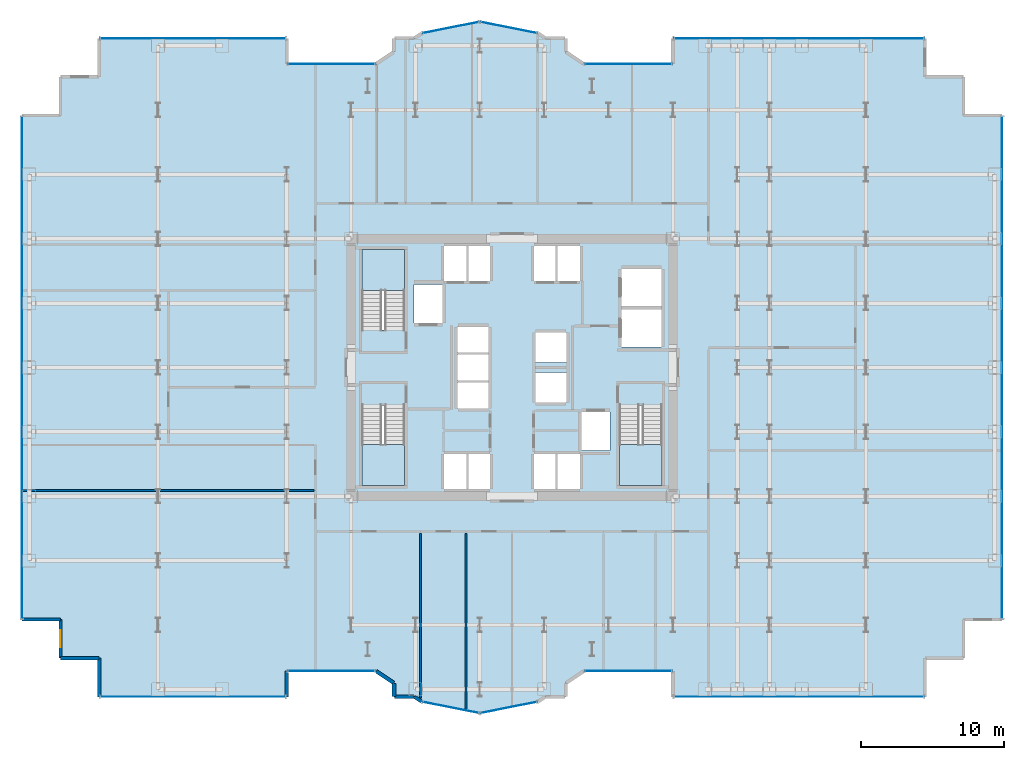
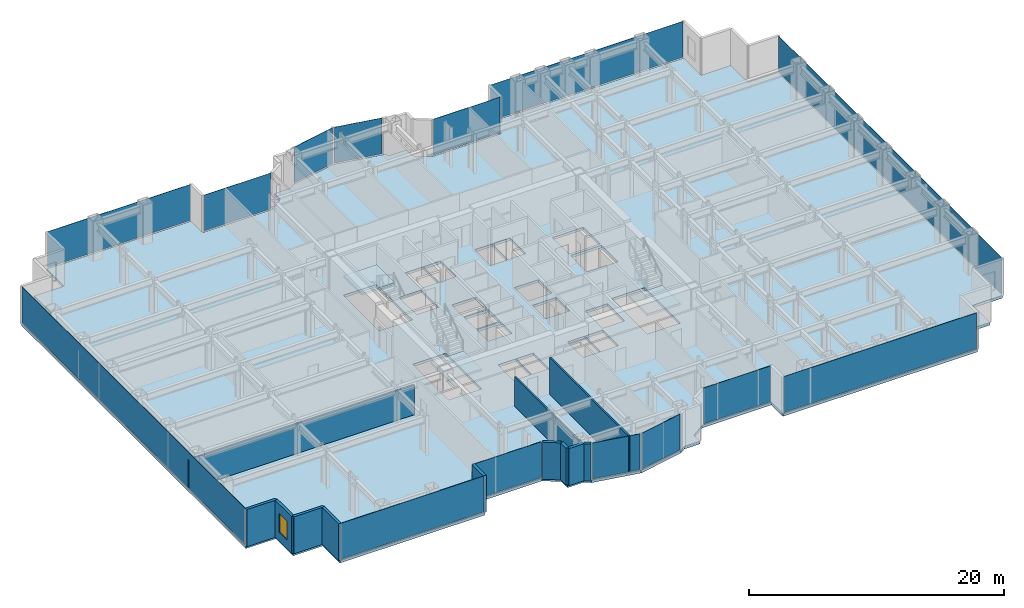
# One storey, part 19 of 25: 14 plates, 12 walls, 4 slabs, 1 window, 1 opening, 17 elements without a shape of their own.
"""IFC4 building model written with IfcOpenShell, lengths in metres."""

import ifcopenshell
import ifcopenshell.guid

model = None  # the IFC model being written
_history = None  # IfcOwnerHistory: only IFC2X3 demands one
_inside = {}  # id of a spatial element -> (the spatial element, [elements in it])
_under = {}  # id of a project, library or spatial element -> (it, [spatial elements below it])
_declared = {}  # id of a project -> (the project, [libraries it declares])
_typed = {}  # id of a type object -> (the type object, [elements of that type])
_made_of = {}  # id of a material, layer set ... -> (it, [elements and type objects made of it])


def new_model(schema):
    """Start an empty IFC model of exactly this schema.

    Asked for "IFC4X3", IfcOpenShell would pick the latest addendum, in which some entities
    have other attributes; the version numbers below select the first issue.
    IFC2X3 requires an IfcOwnerHistory on every rooted entity: one is made here for all.
    """
    global model, _history
    if schema == "IFC4X3":
        model = ifcopenshell.file(schema_version=(4, 3, 0, 0))
    else:
        model = ifcopenshell.file(schema=schema)
    _inside.clear()
    _under.clear()
    _declared.clear()
    _typed.clear()
    _made_of.clear()
    _history = None
    if model.schema == "IFC2X3":
        org = make("IfcOrganization", Name="unknown")
        user = make(
            "IfcPersonAndOrganization",
            ThePerson=make("IfcPerson", FamilyName="unknown"),
            TheOrganization=org,
        )
        app = make(
            "IfcApplication",
            ApplicationDeveloper=org,
            Version="unknown",
            ApplicationFullName="unknown",
            ApplicationIdentifier="unknown",
        )
        _history = make(
            "IfcOwnerHistory",
            OwningUser=user,
            OwningApplication=app,
            ChangeAction="ADDED",
            CreationDate=0,
        )
    return model


def make(cls, **values):
    """One entity of the class cls with the attributes given. An attribute that is None is left unset."""
    return model.create_entity(
        cls, **{name: value for name, value in values.items() if value is not None}
    )


def rooted(cls, **values):
    """An entity with a GlobalId (a new one), such as an element, a storey or a relation."""
    return make(cls, GlobalId=ifcopenshell.guid.new(), OwnerHistory=_history, **values)


def si_unit(unit_type, name, prefix=None):
    """IfcSIUnit, for example si_unit("LENGTHUNIT", "METRE", prefix="MILLI")."""
    return make("IfcSIUnit", UnitType=unit_type, Prefix=prefix, Name=name)


def assignment(units):
    """IfcUnitAssignment: the units of a project."""
    return None if units is None else make("IfcUnitAssignment", Units=units)


def point(xyz):
    """IfcCartesianPoint."""
    return None if xyz is None else make("IfcCartesianPoint", Coordinates=xyz)


def direction(xyz):
    """IfcDirection."""
    return None if xyz is None else make("IfcDirection", DirectionRatios=xyz)


def frame(location, z_axis=None, x_axis=None):
    """IfcAxis2Placement3D, a coordinate frame: its origin and axes. An axis left out is left unset."""
    return make(
        "IfcAxis2Placement3D",
        Location=point(location),
        Axis=direction(z_axis),
        RefDirection=direction(x_axis),
    )


def frame_2d(location, x_axis=None):
    """IfcAxis2Placement2D, a coordinate frame in the plane: its origin and x axis."""
    return make(
        "IfcAxis2Placement2D", Location=point(location), RefDirection=direction(x_axis)
    )


def origin():
    """The frame at (0, 0, 0) with its axes left unset."""
    return frame((0.0, 0.0, 0.0))


def origin_2d():
    """The frame at (0, 0) in the plane with its x axis left unset."""
    return frame_2d((0.0, 0.0))


def place(relative_to, where):
    """IfcLocalPlacement: puts the frame where relative to a parent placement (None: the world)."""
    return make(
        "IfcLocalPlacement", PlacementRelTo=relative_to, RelativePlacement=where
    )


def context(
    kind, dimensions, precision=None, world=None, true_north=None, identifier=None
):
    """IfcGeometricRepresentationContext, for example the 3D "Model" context."""
    return make(
        "IfcGeometricRepresentationContext",
        ContextIdentifier=identifier,
        ContextType=kind,
        CoordinateSpaceDimension=dimensions,
        Precision=precision,
        WorldCoordinateSystem=world,
        TrueNorth=true_north,
    )


def subcontext(parent, identifier, kind, view, scale=None):
    """IfcGeometricRepresentationSubContext, for example "Body" below "Model"."""
    return make(
        "IfcGeometricRepresentationSubContext",
        ContextIdentifier=identifier,
        ContextType=kind,
        ParentContext=parent,
        TargetScale=scale,
        TargetView=view,
    )


def project(units=None, contexts=None):
    """IfcProject with its units and contexts."""
    return rooted(
        "IfcProject",
        Name="project",
        RepresentationContexts=contexts,
        UnitsInContext=assignment(units),
    )


def spatial(cls, under=None, at=None, **own):
    """A site, building, storey or space (cls), placed at a placement, below another one or the project."""
    s = rooted(cls, ObjectPlacement=at, **own)
    if under is not None:
        _under.setdefault(under.id(), (under, []))[1].append(s)
    return s


def polyline(points):
    """IfcPolyline through the points."""
    return make("IfcPolyline", Points=[point(p) for p in points])


def profile(cls, at=None, kind="AREA", **sizes):
    """A parametric profile (cls). Its sizes go by their IFC names, for example OverallWidth=200.0."""
    return make(cls, ProfileType=kind, Position=at, **sizes)


def rectangle(**sizes):
    """IfcRectangleProfileDef."""
    return profile("IfcRectangleProfileDef", **sizes)


def outline(outer, holes=None, kind="AREA"):
    """IfcArbitraryClosedProfileDef: a profile drawn as a closed curve; with holes, ...WithVoids."""
    if holes is None:
        return make("IfcArbitraryClosedProfileDef", ProfileType=kind, OuterCurve=outer)
    return make(
        "IfcArbitraryProfileDefWithVoids",
        ProfileType=kind,
        OuterCurve=outer,
        InnerCurves=holes,
    )


def extrude(swept, where, along, depth):
    """IfcExtrudedAreaSolid: the profile swept, set in the frame where, extruded along a direction by depth."""
    return make(
        "IfcExtrudedAreaSolid",
        SweptArea=swept,
        Position=where,
        ExtrudedDirection=direction(along),
        Depth=depth,
    )


def shape(context_of_items, identifier, shape_type, items):
    """IfcShapeRepresentation: the items that make up one representation, for example the "Body"."""
    return make(
        "IfcShapeRepresentation",
        ContextOfItems=context_of_items,
        RepresentationIdentifier=identifier,
        RepresentationType=shape_type,
        Items=items,
    )


def source(mapping_origin, context_of_items, identifier, shape_type, items):
    """IfcRepresentationMap: a shape defined once, which mapped items show again and again."""
    return make(
        "IfcRepresentationMap",
        MappingOrigin=mapping_origin,
        MappedRepresentation=shape(context_of_items, identifier, shape_type, items),
    )


def transform(
    local_origin,
    x_axis=None,
    y_axis=None,
    z_axis=None,
    scale=None,
    scale2=None,
    scale3=None,
    uniform=True,
):
    """IfcCartesianTransformationOperator3D, or its non-uniform kind. x_axis, y_axis, z_axis: its Axis1, 2, 3."""
    if uniform:
        return make(
            "IfcCartesianTransformationOperator3D",
            Axis1=direction(x_axis),
            Axis2=direction(y_axis),
            LocalOrigin=point(local_origin),
            Scale=scale,
            Axis3=direction(z_axis),
        )
    return make(
        "IfcCartesianTransformationOperator3DnonUniform",
        Axis1=direction(x_axis),
        Axis2=direction(y_axis),
        LocalOrigin=point(local_origin),
        Scale=scale,
        Axis3=direction(z_axis),
        Scale2=scale2,
        Scale3=scale3,
    )


def mapped(mapping_source, mapping_target):
    """IfcMappedItem: shows the shape of a source again, moved by a transform."""
    return make(
        "IfcMappedItem", MappingSource=mapping_source, MappingTarget=mapping_target
    )


def material(Name=None, Category=None):
    """IfcMaterial."""
    return make("IfcMaterial", Name=Name, Category=Category)


def layer(
    of_material, thickness, ventilated=None, Name=None, Category=None, Priority=None
):
    """IfcMaterialLayer: one layer of a wall or slab, of a material (None: an air gap)."""
    return make(
        "IfcMaterialLayer",
        Material=of_material,
        LayerThickness=thickness,
        IsVentilated=ventilated,
        Name=Name,
        Category=Category,
        Priority=Priority,
    )


def layer_set(layers, Name=None):
    """IfcMaterialLayerSet."""
    return make("IfcMaterialLayerSet", MaterialLayers=layers, LayerSetName=Name)


def made_of(thing, what):
    """Note that an element or type object is made of a material, layer set ...; save() writes the relation."""
    if what is not None:
        _made_of.setdefault(what.id(), (what, []))[1].append(thing)
    return thing


def type_object(cls, material=None, **own):
    """A type object (cls), such as IfcWallType, which elements share."""
    return made_of(rooted(cls, **own), material)


def element(
    cls,
    number,
    at=None,
    inside=None,
    cuts=None,
    type_object=None,
    material=None,
    context=None,
    identifier="Body",
    shape_type=None,
    held_by="IfcProductDefinitionShape",
    body=None,
    shapes=None,
    **own,
):
    """One element of the class cls, such as IfcWall. Its Tag is "e" and its number.

    at: its placement. inside: the storey or other place that contains it. cuts: it is an
    opening in that element (IfcRelVoidsElement). A single representation is given by context,
    identifier, shape_type and body (its items); several are given by shapes. held_by: the class
    of the entity that holds the representations. save() writes the other relations.
    """
    e = rooted(cls, Tag="e%d" % number, ObjectPlacement=at, **own)
    if body is not None:
        shapes = [shape(context, identifier, shape_type, body)]
    if shapes is not None:
        e.Representation = make(held_by, Representations=shapes)
    if inside is not None:
        _inside.setdefault(inside.id(), (inside, []))[1].append(e)
    if cuts is not None:
        rooted(
            "IfcRelVoidsElement", RelatingBuildingElement=cuts, RelatedOpeningElement=e
        )
    if type_object is not None:
        _typed.setdefault(type_object.id(), (type_object, []))[1].append(e)
    return made_of(e, material)


def fill(opening, filler):
    """IfcRelFillsElement: the door or window that sits in an opening."""
    return rooted(
        "IfcRelFillsElement",
        RelatingOpeningElement=opening,
        RelatedBuildingElement=filler,
    )


def aggregate(whole, parts):
    """IfcRelAggregates: a whole, such as a stair, and the parts it consists of."""
    return rooted("IfcRelAggregates", RelatingObject=whole, RelatedObjects=parts)


def save(model, path):
    """Write the relations noted so far, then the file.

    IfcRelAggregates (storeys below a building ...), IfcRelContainedInSpatialStructure (elements
    in a storey), IfcRelDefinesByType, IfcRelAssociatesMaterial and IfcRelDeclares: one each for
    every whole, place, type object, material and project.
    """
    for whole, parts in _under.values():
        aggregate(whole, parts)
    for where, things in _inside.values():
        rooted(
            "IfcRelContainedInSpatialStructure",
            RelatedElements=things,
            RelatingStructure=where,
        )
    for kind, things in _typed.values():
        rooted("IfcRelDefinesByType", RelatedObjects=things, RelatingType=kind)
    for what, things in _made_of.values():
        rooted("IfcRelAssociatesMaterial", RelatedObjects=things, RelatingMaterial=what)
    for by, libraries in _declared.values():
        rooted("IfcRelDeclares", RelatingContext=by, RelatedDefinitions=libraries)
    model.write(path)


model = new_model("IFC4")

# Units and contexts
model_context = context("Model", 3, precision=1e-05, world=origin(), true_north=direction((0.0, 1.0)))
body_context = subcontext(model_context, "Body", "Model", "MODEL_VIEW")
ifc_project = project(units=[si_unit("LENGTHUNIT", "METRE"), si_unit("AREAUNIT", "SQUARE_METRE"), si_unit("VOLUMEUNIT", "CUBIC_METRE"), si_unit("PLANEANGLEUNIT", "RADIAN"), si_unit("MASSUNIT", "GRAM", prefix="KILO")], contexts=[model_context])

# Site, building, storey
site_placement = place(None, origin())
site = spatial("IfcSite", under=ifc_project, at=site_placement, CompositionType="ELEMENT")
building_placement = place(site_placement, origin())
building = spatial("IfcBuilding", under=site, at=building_placement, Name="Nefas-Gora Pilgrimage Tower", CompositionType="ELEMENT")
storey_placement = place(building_placement, frame((0.0, 0.0, 71.0)))
storey = spatial("IfcBuildingStorey", under=building, at=storey_placement, Name="L16", CompositionType="ELEMENT", Elevation=71.0)

# Slab
ifc_material_1 = material(Name="Concrete C40/50", Category="concrete")
ifc_layer_1 = layer(ifc_material_1, 0.25)
ifc_layer_set_1 = layer_set([ifc_layer_1], Name="Concrete C40/50")
slab_type_1 = type_object("IfcSlabType", Name="SLB-TWR-250", PredefinedType="FLOOR", material=ifc_layer_set_1)
slab_1_placement = place(storey_placement, frame((0.0, 0.0, -0.25)))
element("IfcSlab", 1, at=slab_1_placement, inside=storey, type_object=slab_type_1, Name="L16 Structural Floor Slab", PredefinedType="FLOOR", context=body_context, shape_type="SweptSolid", body=[
    extrude(outline(polyline([(5.01806640625, -21.219970703125), (11.25, -21.219970703125), (11.25, -23.02001953125), (28.8701171875, -23.02001953125), (28.8701171875, -20.320068359375), (31.570068359375, -20.320068359375), (31.570068359375, -17.6201171875), (34.27001953125, -17.6201171875), (34.27001953125, 17.6201171875), (31.570068359375, 17.6201171875), (31.570068359375, 20.320068359375), (28.8701171875, 20.320068359375), (28.8701171875, 23.02001953125), (11.25, 23.02001953125), (11.25, 21.219970703125), (5.01806640625, 21.219970703125), (3.75, 22.0673828125), (3.75, 23.02001953125), (2.32421875, 23.02001953125), (1.807373046875, 23.365234375), (-2.25, 24.17236328125), (-6.307373046875, 23.365234375), (-6.82421875, 23.02001953125), (-8.25, 23.02001953125), (-8.25, 22.0673828125), (-9.51806640625, 21.219970703125), (-15.75, 21.219970703125), (-15.75, 23.02001953125), (-28.8701171875, 23.02001953125), (-28.8701171875, 20.320068359375), (-31.570068359375, 20.320068359375), (-31.570068359375, 17.6201171875), (-34.27001953125, 17.6201171875), (-34.27001953125, -17.6201171875), (-31.570068359375, -17.6201171875), (-31.570068359375, -20.320068359375), (-28.8701171875, -20.320068359375), (-28.8701171875, -23.02001953125), (-15.75, -23.02001953125), (-15.75, -21.219970703125), (-9.51806640625, -21.219970703125), (-8.25, -22.0673828125), (-8.25, -23.02001953125), (-6.82421875, -23.02001953125), (-6.307373046875, -23.365234375), (-2.25, -24.17236328125), (1.807373046875, -23.365234375), (2.32421875, -23.02001953125), (3.75, -23.02001953125), (3.75, -22.0673828125), (5.01806640625, -21.219970703125)]), holes=[polyline([(-10.5, 2.639892578125), (-10.5, 8.25), (-7.5, 8.25), (-7.5, 2.639892578125), (-10.5, 2.639892578125)]), polyline([(10.5, -2.639892578125), (10.5, -8.25), (7.5, -8.25), (7.5, -2.639892578125), (10.5, -2.639892578125)]), polyline([(-7.5, -2.639892578125), (-7.5, -8.25), (-10.5, -8.25), (-10.5, -2.639892578125), (-7.5, -2.639892578125)]), polyline([(-6.85009765625, 5.800048828125), (-4.85009765625, 5.800048828125), (-4.85009765625, 3.10009765625), (-6.85009765625, 3.10009765625), (-6.85009765625, 5.800048828125)]), polyline([(4.85009765625, -3.10009765625), (6.85009765625, -3.10009765625), (6.85009765625, -5.800048828125), (4.85009765625, -5.800048828125), (4.85009765625, -3.10009765625)]), polyline([(7.64990234375, 4.050048828125), (10.449951171875, 4.050048828125), (10.449951171875, 1.449951171875), (7.64990234375, 1.449951171875), (7.64990234375, 4.050048828125)]), polyline([(7.64990234375, 6.89990234375), (10.449951171875, 6.89990234375), (10.449951171875, 4.300048828125), (7.64990234375, 4.300048828125), (7.64990234375, 6.89990234375)]), polyline([(-4.75, 8.5), (-3.14990234375, 8.5), (-3.14990234375, 6.050048828125), (-4.75, 6.050048828125), (-4.75, 8.5)]), polyline([(-3.10009765625, 8.5), (-1.550048828125, 8.5), (-1.550048828125, 6.050048828125), (-3.10009765625, 6.050048828125), (-3.10009765625, 8.5)]), polyline([(1.550048828125, 8.5), (3.10009765625, 8.5), (3.10009765625, 6.050048828125), (1.550048828125, 6.050048828125), (1.550048828125, 8.5)]), polyline([(3.14990234375, 8.5), (4.75, 8.5), (4.75, 6.050048828125), (3.14990234375, 6.050048828125), (3.14990234375, 8.5)]), polyline([(-4.75, -6.050048828125), (-3.14990234375, -6.050048828125), (-3.14990234375, -8.5), (-4.75, -8.5), (-4.75, -6.050048828125)]), polyline([(-3.10009765625, -6.050048828125), (-1.550048828125, -6.050048828125), (-1.550048828125, -8.5), (-3.10009765625, -8.5), (-3.10009765625, -6.050048828125)]), polyline([(1.550048828125, -6.050048828125), (3.10009765625, -6.050048828125), (3.10009765625, -8.5), (1.550048828125, -8.5), (1.550048828125, -6.050048828125)]), polyline([(3.14990234375, -6.050048828125), (4.75, -6.050048828125), (4.75, -8.5), (3.14990234375, -8.5), (3.14990234375, -6.050048828125)]), polyline([(-3.800048828125, -1.050048828125), (-1.64990234375, -1.050048828125), (-1.64990234375, -2.85009765625), (-3.800048828125, -2.85009765625), (-3.800048828125, -1.050048828125)]), polyline([(-3.800048828125, 0.89990234375), (-1.64990234375, 0.89990234375), (-1.64990234375, -0.89990234375), (-3.800048828125, -0.89990234375), (-3.800048828125, 0.89990234375)]), polyline([(-3.800048828125, 2.85009765625), (-1.64990234375, 2.85009765625), (-1.64990234375, 1.050048828125), (-3.800048828125, 1.050048828125), (-3.800048828125, 2.85009765625)]), polyline([(1.64990234375, -0.35009765625), (3.800048828125, -0.35009765625), (3.800048828125, -2.449951171875), (1.64990234375, -2.449951171875), (1.64990234375, -0.35009765625)]), polyline([(1.64990234375, 2.449951171875), (3.800048828125, 2.449951171875), (3.800048828125, 0.35009765625), (1.64990234375, 0.35009765625), (1.64990234375, 2.449951171875)])]), origin(), (0.0, 0.0, 1.0), 0.25),
])

# Stair, slab
ifc_material_2 = material(Name="Concrete C45/55", Category="concrete")
stair_type = type_object("IfcStairType", Name="STR-1400-R1727", PredefinedType="HALF_TURN_STAIR", material=ifc_material_2)
stair_1_placement = place(storey_placement, origin())
stair_1 = element("IfcStair", 2, at=stair_1_placement, inside=storey, type_object=stair_type, Name="L16 Pressurised Tower Exit Stair ST-01", PredefinedType="HALF_TURN_STAIR")
ifc_layer_2 = layer(ifc_material_1, 0.199951171875)
ifc_layer_set_2 = layer_set([ifc_layer_2], Name="Concrete C40/50")
slab_type_2 = type_object("IfcSlabType", Name="STR-LAND-200", PredefinedType="LANDING", material=ifc_layer_set_2)
slab_2_placement = place(storey_placement, frame((0.0, 0.0, 1.699951171875)))
slab_2 = element("IfcSlab", 3, at=slab_2_placement, type_object=slab_type_2, Name="ST-01 landing 1", PredefinedType="LANDING", context=body_context, shape_type="SweptSolid", body=[
    extrude(outline(polyline([(-7.5, 5.39990234375), (-7.5, 8.25), (-10.5, 8.25), (-10.5, 5.39990234375), (-7.5, 5.39990234375)])), origin(), (0.0, 0.0, 1.0), 0.199951171875),
])
aggregate(stair_1, [slab_2])

stair_2_placement = place(storey_placement, origin())
stair_2 = element("IfcStair", 4, at=stair_2_placement, inside=storey, type_object=stair_type, Name="L16 Pressurised Tower Exit Stair ST-02", PredefinedType="HALF_TURN_STAIR")
slab_3_placement = place(storey_placement, frame((0.0, 0.0, 1.699951171875)))
slab_3 = element("IfcSlab", 5, at=slab_3_placement, type_object=slab_type_2, Name="ST-02 landing 1", PredefinedType="LANDING", context=body_context, shape_type="SweptSolid", body=[
    extrude(outline(polyline([(7.5, -5.39990234375), (7.5, -8.25), (10.5, -8.25), (10.5, -5.39990234375), (7.5, -5.39990234375)])), origin(), (0.0, 0.0, 1.0), 0.199951171875),
])
aggregate(stair_2, [slab_3])

stair_3_placement = place(storey_placement, origin())
stair_3 = element("IfcStair", 6, at=stair_3_placement, inside=storey, type_object=stair_type, Name="L16 Pressurised Tower Exit Stair ST-03", PredefinedType="HALF_TURN_STAIR")
slab_4_placement = place(storey_placement, frame((0.0, 0.0, 1.699951171875)))
slab_4 = element("IfcSlab", 7, at=slab_4_placement, type_object=slab_type_2, Name="ST-03 landing 1", PredefinedType="LANDING", context=body_context, shape_type="SweptSolid", body=[
    extrude(outline(polyline([(-10.5, -5.39990234375), (-10.5, -8.25), (-7.5, -8.25), (-7.5, -5.39990234375), (-10.5, -5.39990234375)])), origin(), (0.0, 0.0, 1.0), 0.199951171875),
])
aggregate(stair_3, [slab_4])

# Curtain wall, plate
ifc_material_3 = material(Name="Dark ceramic-fritted solar-control aluminium-glass curtain wall", Category="aluminium")
ifc_layer_3 = layer(ifc_material_3, 0.219970703125)
ifc_layer_set_3 = layer_set([ifc_layer_3], Name="Dark ceramic-fritted solar-control aluminium-glass curtain wall")
curtain_wall_type_1 = type_object("IfcCurtainWallType", Name="CW-SYS-5", PredefinedType="NOTDEFINED", material=ifc_layer_set_3)
curtain_wall_1_placement = place(storey_placement, origin())
curtain_wall_1 = element("IfcCurtainWall", 8, at=curtain_wall_1_placement, inside=storey, type_object=curtain_wall_type_1, Name="L16 Unitised Curtain Wall CW5", PredefinedType="NOTDEFINED")
ifc_material_4 = material(Name="Dark ceramic-printed low-e insulated glass", Category="glass")
ifc_layer_4 = layer(ifc_material_4, 0.028076171875)
ifc_layer_set_4 = layer_set([ifc_layer_4], Name="Dark ceramic-printed low-e insulated glass")
plate_type_1 = type_object("IfcPlateType", Name="CWP-PNL-5", PredefinedType="CURTAIN_PANEL", material=ifc_layer_set_4)
shared_shape_1 = source(origin(), body_context, "Body", "SweptSolid", [
    extrude(rectangle(XDim=6.052001953125, YDim=0.028076171875, at=origin_2d()), origin(), (0.0, 0.0, 1.0), 3.43994140625),
])
plate_1_placement = place(storey_placement, frame((8.134033203125, -21.219970703125, 0.10009765625), z_axis=(0.0, 0.0, 1.0), x_axis=(1.0, 0.0, 0.0)))
plate_1 = element("IfcPlate", 9, at=plate_1_placement, type_object=plate_type_1, Name="CW5 Ceramic-Fritted Glazing Panel 1", PredefinedType="CURTAIN_PANEL", context=body_context, shape_type="MappedRepresentation", body=[
    mapped(shared_shape_1, transform((0.0, 0.0, 0.0), x_axis=(1.0, 0.0, 0.0), y_axis=(0.0, 1.0, 0.0), z_axis=(0.0, 0.0, 1.0), scale=1.0)),
])
aggregate(curtain_wall_1, [plate_1])

curtain_wall_2_placement = place(storey_placement, origin())
curtain_wall_2 = element("IfcCurtainWall", 10, at=curtain_wall_2_placement, inside=storey, type_object=curtain_wall_type_1, Name="L16 Unitised Curtain Wall CW5", PredefinedType="NOTDEFINED")
plate_2_placement = place(storey_placement, frame((8.134033203125, 21.219970703125, 0.10009765625), z_axis=(0.0, 0.0, 1.0), x_axis=(-1.0, 0.0, 0.0)))
plate_2 = element("IfcPlate", 11, at=plate_2_placement, type_object=plate_type_1, Name="CW5 Ceramic-Fritted Glazing Panel 1", PredefinedType="CURTAIN_PANEL", context=body_context, shape_type="MappedRepresentation", body=[
    mapped(shared_shape_1, transform((0.0, 0.0, 0.0), x_axis=(1.0, 0.0, 0.0), y_axis=(0.0, 1.0, 0.0), z_axis=(0.0, 0.0, 1.0), scale=1.0)),
])
aggregate(curtain_wall_2, [plate_2])

curtain_wall_3_placement = place(storey_placement, origin())
curtain_wall_3 = element("IfcCurtainWall", 12, at=curtain_wall_3_placement, inside=storey, type_object=curtain_wall_type_1, Name="L16 Unitised Curtain Wall CW5", PredefinedType="NOTDEFINED")
plate_3_placement = place(storey_placement, frame((-12.634033203125, 21.219970703125, 0.10009765625), z_axis=(0.0, 0.0, 1.0), x_axis=(-1.0, 0.0, 0.0)))
plate_3 = element("IfcPlate", 13, at=plate_3_placement, type_object=plate_type_1, Name="CW5 Ceramic-Fritted Glazing Panel 1", PredefinedType="CURTAIN_PANEL", context=body_context, shape_type="MappedRepresentation", body=[
    mapped(shared_shape_1, transform((0.0, 0.0, 0.0), x_axis=(1.0, 0.0, 0.0), y_axis=(0.0, 1.0, 0.0), z_axis=(0.0, 0.0, 1.0), scale=1.0)),
])
aggregate(curtain_wall_3, [plate_3])

curtain_wall_4_placement = place(storey_placement, origin())
curtain_wall_4 = element("IfcCurtainWall", 14, at=curtain_wall_4_placement, inside=storey, type_object=curtain_wall_type_1, Name="L16 Unitised Curtain Wall CW5", PredefinedType="NOTDEFINED")
plate_4_placement = place(storey_placement, frame((-12.634033203125, -21.219970703125, 0.10009765625), z_axis=(0.0, 0.0, 1.0), x_axis=(1.0, 0.0, 0.0)))
plate_4 = element("IfcPlate", 15, at=plate_4_placement, type_object=plate_type_1, Name="CW5 Ceramic-Fritted Glazing Panel 1", PredefinedType="CURTAIN_PANEL", context=body_context, shape_type="MappedRepresentation", body=[
    mapped(shared_shape_1, transform((0.0, 0.0, 0.0), x_axis=(1.0, 0.0, 0.0), y_axis=(0.0, 1.0, 0.0), z_axis=(0.0, 0.0, 1.0), scale=1.0)),
])
aggregate(curtain_wall_4, [plate_4])

ifc_layer_5 = layer(ifc_material_3, 0.219970703125)
ifc_layer_set_5 = layer_set([ifc_layer_5], Name="Dark ceramic-fritted solar-control aluminium-glass curtain wall")
curtain_wall_type_2 = type_object("IfcCurtainWallType", Name="CW-SYS-2", PredefinedType="NOTDEFINED", material=ifc_layer_set_5)
curtain_wall_5_placement = place(storey_placement, origin())
curtain_wall_5 = element("IfcCurtainWall", 16, at=curtain_wall_5_placement, inside=storey, type_object=curtain_wall_type_2, Name="L16 Unitised Curtain Wall CW2", PredefinedType="NOTDEFINED")
ifc_layer_6 = layer(ifc_material_4, 0.031982421875)
ifc_layer_set_6 = layer_set([ifc_layer_6], Name="Dark ceramic-printed low-e insulated glass")
plate_type_2 = type_object("IfcPlateType", Name="CWP-PNL-2", PredefinedType="CURTAIN_PANEL", material=ifc_layer_set_6)
shared_shape_2 = source(origin(), body_context, "Body", "SweptSolid", [
    extrude(rectangle(XDim=17.43994140625, YDim=0.031982421875, at=origin_2d()), origin(), (0.0, 0.0, 1.0), 3.43994140625),
])
plate_5_placement = place(storey_placement, frame((20.06005859375, -23.02001953125, 0.10009765625), z_axis=(0.0, 0.0, 1.0), x_axis=(1.0, 0.0, 0.0)))
plate_5 = element("IfcPlate", 17, at=plate_5_placement, type_object=plate_type_2, Name="CW2 Ceramic-Fritted Glazing Panel 1", PredefinedType="CURTAIN_PANEL", context=body_context, shape_type="MappedRepresentation", body=[
    mapped(shared_shape_2, transform((0.0, 0.0, 0.0), x_axis=(1.0, 0.0, 0.0), y_axis=(0.0, 1.0, 0.0), z_axis=(0.0, 0.0, 1.0), scale=1.0)),
])
aggregate(curtain_wall_5, [plate_5])

curtain_wall_6_placement = place(storey_placement, origin())
curtain_wall_6 = element("IfcCurtainWall", 18, at=curtain_wall_6_placement, inside=storey, type_object=curtain_wall_type_2, Name="L16 Unitised Curtain Wall CW2", PredefinedType="NOTDEFINED")
plate_6_placement = place(storey_placement, frame((20.06005859375, 23.02001953125, 0.10009765625), z_axis=(0.0, 0.0, 1.0), x_axis=(-1.0, 0.0, 0.0)))
plate_6 = element("IfcPlate", 19, at=plate_6_placement, type_object=plate_type_2, Name="CW2 Ceramic-Fritted Glazing Panel 1", PredefinedType="CURTAIN_PANEL", context=body_context, shape_type="MappedRepresentation", body=[
    mapped(shared_shape_2, transform((0.0, 0.0, 0.0), x_axis=(1.0, 0.0, 0.0), y_axis=(0.0, 1.0, 0.0), z_axis=(0.0, 0.0, 1.0), scale=1.0)),
])
aggregate(curtain_wall_6, [plate_6])

curtain_wall_7_placement = place(storey_placement, origin())
curtain_wall_7 = element("IfcCurtainWall", 20, at=curtain_wall_7_placement, inside=storey, type_object=curtain_wall_type_1, Name="L16 Unitised Curtain Wall CW5", PredefinedType="NOTDEFINED")
shared_shape_3 = source(origin(), body_context, "Body", "SweptSolid", [
    extrude(rectangle(XDim=3.956787109375, YDim=0.028076171875, at=origin_2d()), origin(), (0.0, 0.0, 1.0), 3.43994140625),
])
plate_7_placement = place(storey_placement, frame((-0.22119140625, 23.768798828125, 0.10009765625), z_axis=(0.0, 0.0, 1.0), x_axis=(-0.980782896852, 0.195102304554, 0.0)))
plate_7 = element("IfcPlate", 21, at=plate_7_placement, type_object=plate_type_1, Name="CW5 Ceramic-Fritted Glazing Panel 1", PredefinedType="CURTAIN_PANEL", context=body_context, shape_type="MappedRepresentation", body=[
    mapped(shared_shape_3, transform((0.0, 0.0, 0.0), x_axis=(1.0, 0.0, 0.0), y_axis=(0.0, 1.0, 0.0), z_axis=(0.0, 0.0, 1.0), scale=1.0)),
])
aggregate(curtain_wall_7, [plate_7])

curtain_wall_8_placement = place(storey_placement, origin())
curtain_wall_8 = element("IfcCurtainWall", 22, at=curtain_wall_8_placement, inside=storey, type_object=curtain_wall_type_1, Name="L16 Unitised Curtain Wall CW5", PredefinedType="NOTDEFINED")
plate_8_placement = place(storey_placement, frame((-4.278564453125, 23.768798828125, 0.10009765625), z_axis=(0.0, 0.0, 1.0), x_axis=(-0.980782896852, -0.195102304554, 0.0)))
plate_8 = element("IfcPlate", 23, at=plate_8_placement, type_object=plate_type_1, Name="CW5 Ceramic-Fritted Glazing Panel 1", PredefinedType="CURTAIN_PANEL", context=body_context, shape_type="MappedRepresentation", body=[
    mapped(shared_shape_3, transform((0.0, 0.0, 0.0), x_axis=(1.0, 0.0, 0.0), y_axis=(0.0, 1.0, 0.0), z_axis=(0.0, 0.0, 1.0), scale=1.0)),
])
aggregate(curtain_wall_8, [plate_8])

curtain_wall_9_placement = place(storey_placement, origin())
curtain_wall_9 = element("IfcCurtainWall", 24, at=curtain_wall_9_placement, inside=storey, type_object=curtain_wall_type_1, Name="L16 Unitised Curtain Wall CW5", PredefinedType="NOTDEFINED")
plate_9_placement = place(storey_placement, frame((-4.278564453125, -23.768798828125, 0.10009765625), z_axis=(0.0, 0.0, 1.0), x_axis=(0.980782896852, -0.195102304554, 0.0)))
plate_9 = element("IfcPlate", 25, at=plate_9_placement, type_object=plate_type_1, Name="CW5 Ceramic-Fritted Glazing Panel 1", PredefinedType="CURTAIN_PANEL", context=body_context, shape_type="MappedRepresentation", body=[
    mapped(shared_shape_3, transform((0.0, 0.0, 0.0), x_axis=(1.0, 0.0, 0.0), y_axis=(0.0, 1.0, 0.0), z_axis=(0.0, 0.0, 1.0), scale=1.0)),
])
aggregate(curtain_wall_9, [plate_9])

curtain_wall_10_placement = place(storey_placement, origin())
curtain_wall_10 = element("IfcCurtainWall", 26, at=curtain_wall_10_placement, inside=storey, type_object=curtain_wall_type_1, Name="L16 Unitised Curtain Wall CW5", PredefinedType="NOTDEFINED")
plate_10_placement = place(storey_placement, frame((-0.221435546875, -23.768798828125, 0.10009765625), z_axis=(0.0, 0.0, 1.0), x_axis=(0.980782896852, 0.195102304554, 0.0)))
plate_10 = element("IfcPlate", 27, at=plate_10_placement, type_object=plate_type_1, Name="CW5 Ceramic-Fritted Glazing Panel 1", PredefinedType="CURTAIN_PANEL", context=body_context, shape_type="MappedRepresentation", body=[
    mapped(shared_shape_3, transform((0.0, 0.0, 0.0), x_axis=(1.0, 0.0, 0.0), y_axis=(0.0, 1.0, 0.0), z_axis=(0.0, 0.0, 1.0), scale=1.0)),
])
aggregate(curtain_wall_10, [plate_10])

curtain_wall_11_placement = place(storey_placement, origin())
curtain_wall_11 = element("IfcCurtainWall", 28, at=curtain_wall_11_placement, inside=storey, type_object=curtain_wall_type_2, Name="L16 Unitised Curtain Wall CW2", PredefinedType="NOTDEFINED")
shared_shape_4 = source(origin(), body_context, "Body", "SweptSolid", [
    extrude(rectangle(XDim=12.93994140625, YDim=0.031982421875, at=origin_2d()), origin(), (0.0, 0.0, 1.0), 3.43994140625),
])
plate_11_placement = place(storey_placement, frame((-22.31005859375, 23.02001953125, 0.10009765625), z_axis=(0.0, 0.0, 1.0), x_axis=(-1.0, 0.0, 0.0)))
plate_11 = element("IfcPlate", 29, at=plate_11_placement, type_object=plate_type_2, Name="CW2 Ceramic-Fritted Glazing Panel 1", PredefinedType="CURTAIN_PANEL", context=body_context, shape_type="MappedRepresentation", body=[
    mapped(shared_shape_4, transform((0.0, 0.0, 0.0), x_axis=(1.0, 0.0, 0.0), y_axis=(0.0, 1.0, 0.0), z_axis=(0.0, 0.0, 1.0), scale=1.0)),
])
aggregate(curtain_wall_11, [plate_11])

curtain_wall_12_placement = place(storey_placement, origin())
curtain_wall_12 = element("IfcCurtainWall", 30, at=curtain_wall_12_placement, inside=storey, type_object=curtain_wall_type_2, Name="L16 Unitised Curtain Wall CW2", PredefinedType="NOTDEFINED")
plate_12_placement = place(storey_placement, frame((-22.31005859375, -23.02001953125, 0.10009765625), z_axis=(0.0, 0.0, 1.0), x_axis=(1.0, 0.0, 0.0)))
plate_12 = element("IfcPlate", 31, at=plate_12_placement, type_object=plate_type_2, Name="CW2 Ceramic-Fritted Glazing Panel 1", PredefinedType="CURTAIN_PANEL", context=body_context, shape_type="MappedRepresentation", body=[
    mapped(shared_shape_4, transform((0.0, 0.0, 0.0), x_axis=(1.0, 0.0, 0.0), y_axis=(0.0, 1.0, 0.0), z_axis=(0.0, 0.0, 1.0), scale=1.0)),
])
aggregate(curtain_wall_12, [plate_12])

curtain_wall_13_placement = place(storey_placement, origin())
curtain_wall_13 = element("IfcCurtainWall", 32, at=curtain_wall_13_placement, inside=storey, type_object=curtain_wall_type_2, Name="L16 Unitised Curtain Wall CW2", PredefinedType="NOTDEFINED")
shared_shape_5 = source(origin(), body_context, "Body", "SweptSolid", [
    extrude(rectangle(XDim=35.06005859375, YDim=0.031982421875, at=origin_2d()), origin(), (0.0, 0.0, 1.0), 3.43994140625),
])
plate_13_placement = place(storey_placement, frame((34.27001953125, 0.0, 0.10009765625), z_axis=(0.0, 0.0, 1.0), x_axis=(0.0, 1.0, 0.0)))
plate_13 = element("IfcPlate", 33, at=plate_13_placement, type_object=plate_type_2, Name="CW2 Ceramic-Fritted Glazing Panel 1", PredefinedType="CURTAIN_PANEL", context=body_context, shape_type="MappedRepresentation", body=[
    mapped(shared_shape_5, transform((0.0, 0.0, 0.0), x_axis=(1.0, 0.0, 0.0), y_axis=(0.0, 1.0, 0.0), z_axis=(0.0, 0.0, 1.0), scale=1.0)),
])
aggregate(curtain_wall_13, [plate_13])

curtain_wall_14_placement = place(storey_placement, origin())
curtain_wall_14 = element("IfcCurtainWall", 34, at=curtain_wall_14_placement, inside=storey, type_object=curtain_wall_type_2, Name="L16 Unitised Curtain Wall CW2", PredefinedType="NOTDEFINED")
plate_14_placement = place(storey_placement, frame((-34.27001953125, 0.0, 0.10009765625), z_axis=(0.0, 0.0, 1.0), x_axis=(0.0, -1.0, 0.0)))
plate_14 = element("IfcPlate", 35, at=plate_14_placement, type_object=plate_type_2, Name="CW2 Ceramic-Fritted Glazing Panel 1", PredefinedType="CURTAIN_PANEL", context=body_context, shape_type="MappedRepresentation", body=[
    mapped(shared_shape_5, transform((0.0, 0.0, 0.0), x_axis=(1.0, 0.0, 0.0), y_axis=(0.0, 1.0, 0.0), z_axis=(0.0, 0.0, 1.0), scale=1.0)),
])
aggregate(curtain_wall_14, [plate_14])

# Walls
ifc_material_5 = material(Name="Precast concrete C40/50", Category="concrete")
ifc_layer_7 = layer(ifc_material_5, 0.260009765625)
ifc_layer_set_7 = layer_set([ifc_layer_7], Name="Precast concrete C40/50")
wall_type_1 = type_object("IfcWallType", Name="EW-PORTAL-260", PredefinedType="SOLIDWALL", material=ifc_layer_set_7)
shared_shape_6 = source(origin(), body_context, "Body", "SweptSolid", [
    extrude(rectangle(XDim=1.800048828125, YDim=0.260009765625, at=frame_2d((0.89990234375, 0.0))), origin(), (0.0, 0.0, 1.0), 3.550048828125),
])
wall_1_placement = place(storey_placement, frame((-15.75, -23.02001953125, 0.0), z_axis=(0.0, 0.0, 1.0), x_axis=(0.0, 1.0, 0.0)))
element("IfcWall", 36, at=wall_1_placement, inside=storey, type_object=wall_type_1, Name="L16 Lobe Shoulder Precast Spandrel Pier 28", PredefinedType="SOLIDWALL", context=body_context, shape_type="MappedRepresentation", body=[
    mapped(shared_shape_6, transform((0.0, 0.0, 0.0), x_axis=(1.0, 0.0, 0.0), y_axis=(0.0, 1.0, 0.0), z_axis=(0.0, 0.0, 1.0), scale=1.0)),
])
ifc_material_6 = material(Name="Precast concrete C45/55", Category="concrete")
ifc_layer_8 = layer(ifc_material_6, 0.239990234375)
ifc_layer_set_8 = layer_set([ifc_layer_8], Name="Precast concrete C45/55")
wall_type_2 = type_object("IfcWallType", Name="EW-SERR-240", PredefinedType="SHEAR", material=ifc_layer_set_8)
shared_shape_7 = source(origin(), body_context, "Body", "SweptSolid", [
    extrude(rectangle(XDim=2.699951171875, YDim=0.239990234375, at=frame_2d((1.35009765625, 0.0))), origin(), (0.0, 0.0, 1.0), 3.550048828125),
])
wall_2_placement = place(storey_placement, frame((-34.27001953125, -17.6201171875, 0.0), z_axis=(0.0, 0.0, 1.0), x_axis=(1.0, 0.0, 0.0)))
element("IfcWall", 37, at=wall_2_placement, inside=storey, type_object=wall_type_2, Name="L16 Serrated Corner Shear Pier Wall 24", PredefinedType="SHEAR", context=body_context, shape_type="MappedRepresentation", body=[
    mapped(shared_shape_7, transform((0.0, 0.0, 0.0), x_axis=(1.0, 0.0, 0.0), y_axis=(0.0, 1.0, 0.0), z_axis=(0.0, 0.0, 1.0), scale=1.0)),
])

# Wall, opening, window
wall_3_placement = place(storey_placement, frame((-31.570068359375, -17.6201171875, 0.0), z_axis=(0.0, 0.0, 1.0), x_axis=(0.0, -1.0, 0.0)))
wall_3 = element("IfcWall", 38, at=wall_3_placement, inside=storey, type_object=wall_type_2, Name="L16 Serrated Corner Shear Pier Wall 25", PredefinedType="SHEAR", context=body_context, shape_type="MappedRepresentation", body=[
    mapped(shared_shape_7, transform((0.0, 0.0, 0.0), x_axis=(1.0, 0.0, 0.0), y_axis=(0.0, 1.0, 0.0), z_axis=(0.0, 0.0, 1.0), scale=1.0)),
])
opening_placement = place(wall_3_placement, frame((0.75, 0.0, 0.85009765625)))
opening = element("IfcOpeningElement", 39, at=opening_placement, cuts=wall_3, Name="Opening W-V1", PredefinedType="OPENING", context=body_context, shape_type="SweptSolid", body=[
    extrude(rectangle(XDim=1.199951171875, YDim=1.800048828125, at=frame_2d((0.60009765625, 0.89990234375))), frame((0.0, 0.1298828125, 0.0), z_axis=(0.0, -1.0, 0.0), x_axis=(1.0, 0.0, 0.0)), (0.0, 0.0, 1.0), 0.260009765625),
])
ifc_material_7 = material(Name="Dark ceramic-fritted operable aluminium-glass window", Category="aluminium")
window_type = type_object("IfcWindowType", Name="WIN-VENT-1200x1800", PartitioningType="SINGLE_PANEL", PredefinedType="WINDOW", material=ifc_material_7)
shared_shape_8 = source(origin(), body_context, "Body", "SweptSolid", [
    extrude(rectangle(XDim=1.199951171875, YDim=1.800048828125, at=frame_2d((0.60009765625, 0.89990234375))), frame((0.0, 0.030029296875, 0.0), z_axis=(0.0, -1.0, 0.0), x_axis=(1.0, 0.0, 0.0)), (0.0, 0.0, 1.0), 0.06005859375),
])
window_placement = place(opening_placement, origin())
window = element("IfcWindow", 40, at=window_placement, inside=storey, type_object=window_type, Name="L16 Operable Parallel-Outswing Window 25", OverallHeight=1.800048828125, OverallWidth=1.199951171875, PartitioningType="SINGLE_PANEL", PredefinedType="WINDOW", context=body_context, shape_type="MappedRepresentation", body=[
    mapped(shared_shape_8, transform((0.0, 0.0, 0.0), x_axis=(1.0, 0.0, 0.0), y_axis=(0.0, 1.0, 0.0), z_axis=(0.0, 0.0, 1.0), scale=1.0)),
])
fill(opening, window)

# Walls
for number, where, z_axis, x_axis, name in (
    (41, (-31.570068359375, -20.320068359375, 0.0), (0.0, 0.0, 1.0), (1.0, 0.0, 0.0), "L16 Serrated Corner Shear Pier Wall 26"),
    (42, (-28.8701171875, -20.320068359375, 0.0), (0.0, 0.0, 1.0), (0.0, -1.0, 0.0), "L16 Serrated Corner Shear Pier Wall 27"),
):
    element("IfcWall", number, at=place(storey_placement, frame(where, z_axis=z_axis, x_axis=x_axis)), inside=storey, type_object=wall_type_2, Name=name, PredefinedType="SHEAR", context=body_context, shape_type="MappedRepresentation", body=[
        mapped(shared_shape_7, transform((0.0, 0.0, 0.0), x_axis=(1.0, 0.0, 0.0), y_axis=(0.0, 1.0, 0.0), z_axis=(0.0, 0.0, 1.0), scale=1.0)),
    ])
shared_shape_9 = source(origin(), body_context, "Body", "SweptSolid", [
    extrude(rectangle(XDim=1.468994140625, YDim=0.260009765625, at=frame_2d((0.734375, 0.0))), origin(), (0.0, 0.0, 1.0), 3.550048828125),
])
wall_4_placement = place(storey_placement, frame((-9.49462890625, -21.235595703125, 0.0), z_axis=(0.0, 0.0, 1.0), x_axis=(0.831461760506, -0.555581983884, 0.0)))
element("IfcWall", 43, at=wall_4_placement, inside=storey, type_object=wall_type_1, Name="L16 Lobe Shoulder Precast Spandrel Pier 29", PredefinedType="SOLIDWALL", context=body_context, shape_type="MappedRepresentation", body=[
    mapped(shared_shape_9, transform((0.0, 0.0, 0.0), x_axis=(1.0, 0.0, 0.0), y_axis=(0.0, 1.0, 0.0), z_axis=(0.0, 0.0, 1.0), scale=1.0)),
])
shared_shape_10 = source(origin(), body_context, "Body", "SweptSolid", [
    extrude(rectangle(XDim=0.896728515625, YDim=0.260009765625, at=frame_2d((0.4482421875, 0.0))), origin(), (0.0, 0.0, 1.0), 3.550048828125),
])
wall_5_placement = place(storey_placement, frame((-8.25, -22.09521484375, 0.0), z_axis=(0.0, 0.0, 1.0), x_axis=(0.0, -1.0, 0.0)))
element("IfcWall", 44, at=wall_5_placement, inside=storey, type_object=wall_type_1, Name="L16 Lobe Shoulder Precast Spandrel Pier 30", PredefinedType="SOLIDWALL", context=body_context, shape_type="MappedRepresentation", body=[
    mapped(shared_shape_10, transform((0.0, 0.0, 0.0), x_axis=(1.0, 0.0, 0.0), y_axis=(0.0, 1.0, 0.0), z_axis=(0.0, 0.0, 1.0), scale=1.0)),
])
shared_shape_11 = source(origin(), body_context, "Body", "SweptSolid", [
    extrude(rectangle(XDim=1.369873046875, YDim=0.260009765625, at=frame_2d((0.68505859375, 0.0))), origin(), (0.0, 0.0, 1.0), 3.550048828125),
])
wall_6_placement = place(storey_placement, frame((-8.221923828125, -23.02001953125, 0.0), z_axis=(0.0, 0.0, 1.0), x_axis=(1.0, 0.0, 0.0)))
element("IfcWall", 45, at=wall_6_placement, inside=storey, type_object=wall_type_1, Name="L16 Lobe Shoulder Precast Spandrel Pier 31", PredefinedType="SOLIDWALL", context=body_context, shape_type="MappedRepresentation", body=[
    mapped(shared_shape_11, transform((0.0, 0.0, 0.0), x_axis=(1.0, 0.0, 0.0), y_axis=(0.0, 1.0, 0.0), z_axis=(0.0, 0.0, 1.0), scale=1.0)),
])
shared_shape_12 = source(origin(), body_context, "Body", "SweptSolid", [
    extrude(rectangle(XDim=0.5654296875, YDim=0.260009765625, at=frame_2d((0.28271484375, 0.0))), origin(), (0.0, 0.0, 1.0), 3.550048828125),
])
wall_7_placement = place(storey_placement, frame((-6.80078125, -23.03564453125, 0.0), z_axis=(0.0, 0.0, 1.0), x_axis=(0.831651492666, -0.555297933317, 0.0)))
element("IfcWall", 46, at=wall_7_placement, inside=storey, type_object=wall_type_1, Name="L16 Lobe Shoulder Precast Spandrel Pier 32", PredefinedType="SOLIDWALL", context=body_context, shape_type="MappedRepresentation", body=[
    mapped(shared_shape_12, transform((0.0, 0.0, 0.0), x_axis=(1.0, 0.0, 0.0), y_axis=(0.0, 1.0, 0.0), z_axis=(0.0, 0.0, 1.0), scale=1.0)),
])
ifc_material_8 = material(Name="Gypsum twin-stud partition")
ifc_layer_9 = layer(ifc_material_8, 0.139892578125)
ifc_layer_set_9 = layer_set([ifc_layer_9], Name="Gypsum twin-stud partition")
wall_type_3 = type_object("IfcWallType", Name="IW-UNIT-140", PredefinedType="PARTITIONING", material=ifc_layer_set_9)
shared_shape_13 = source(origin(), body_context, "Body", "SweptSolid", [
    extrude(rectangle(XDim=20.429931640625, YDim=0.139892578125, at=frame_2d((10.21484375, 0.0))), origin(), (0.0, 0.0, 1.0), 2.824951171875),
])
wall_8_placement = place(storey_placement, frame((-34.2900390625, -8.60498046875, 0.0), z_axis=(0.0, 0.0, 1.0), x_axis=(1.0, 0.0, 0.0)))
element("IfcWall", 47, at=wall_8_placement, inside=storey, type_object=wall_type_3, Name="L16 Pilgrim Floor Concierge Foyer Partition Wall 29", PredefinedType="PARTITIONING", context=body_context, shape_type="MappedRepresentation", body=[
    mapped(shared_shape_13, transform((0.0, 0.0, 0.0), x_axis=(1.0, 0.0, 0.0), y_axis=(0.0, 1.0, 0.0), z_axis=(0.0, 0.0, 1.0), scale=1.0)),
])
shared_shape_14 = source(origin(), body_context, "Body", "SweptSolid", [
    extrude(rectangle(XDim=11.5078125, YDim=0.139892578125, at=frame_2d((5.75390625, 0.0))), origin(), (0.0, 0.0, 1.0), 2.824951171875),
])
wall_9_placement = place(storey_placement, frame((-6.405029296875, -23.097900390625, 0.0), z_axis=(0.0, 0.0, 1.0), x_axis=(0.0, 1.0, 0.0)))
element("IfcWall", 48, at=wall_9_placement, inside=storey, type_object=wall_type_3, Name="L16 Pilgrim Contemplative Lounge Partition Wall 55", PredefinedType="PARTITIONING", context=body_context, shape_type="MappedRepresentation", body=[
    mapped(shared_shape_14, transform((0.0, 0.0, 0.0), x_axis=(1.0, 0.0, 0.0), y_axis=(0.0, 1.0, 0.0), z_axis=(0.0, 0.0, 1.0), scale=1.0)),
])
shared_shape_15 = source(origin(), body_context, "Body", "SweptSolid", [
    extrude(rectangle(XDim=12.415283203125, YDim=0.139892578125, at=frame_2d((6.20751953125, 0.0))), origin(), (0.0, 0.0, 1.0), 3.534912109375),
])
wall_10_placement = place(storey_placement, frame((-3.21240234375, -24.00537109375, 0.0), z_axis=(0.0, 0.0, 1.0), x_axis=(0.0, 1.0, 0.0)))
element("IfcWall", 49, at=wall_10_placement, inside=storey, type_object=wall_type_3, Name="L16 Pastoral Chaplains Counselling Office Partition Wall 60", PredefinedType="PARTITIONING", context=body_context, shape_type="MappedRepresentation", body=[
    mapped(shared_shape_15, transform((0.0, 0.0, 0.0), x_axis=(1.0, 0.0, 0.0), y_axis=(0.0, 1.0, 0.0), z_axis=(0.0, 0.0, 1.0), scale=1.0)),
])

save(model, "model.ifc")
